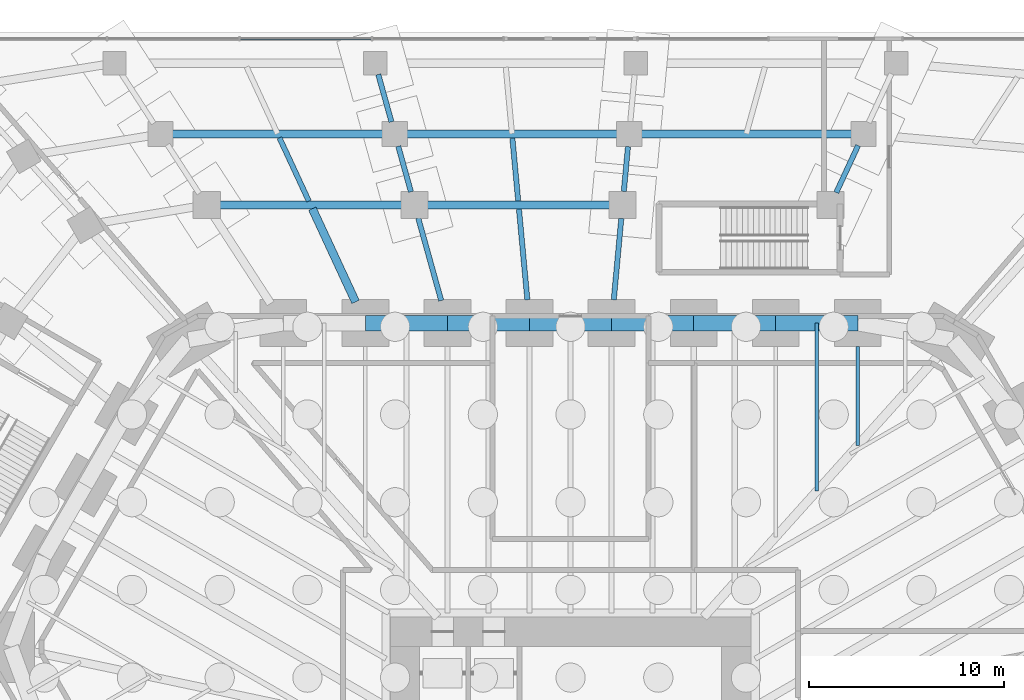
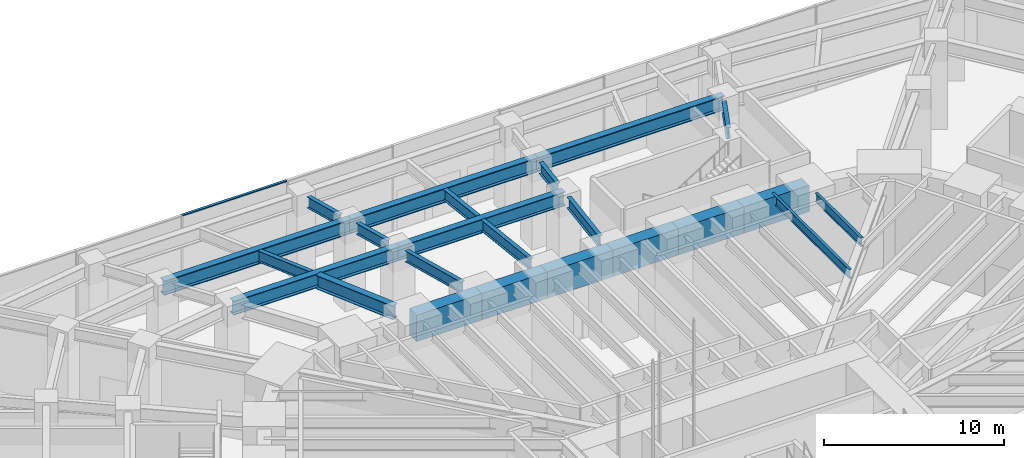
# One storey, part 14 of 34: 23 beams, 1 member, 1 element without a shape of its own.
"""IFC4 building model written with IfcOpenShell, lengths in metres."""

from ifc_helpers import new_model, si_unit, direction, frame, origin, origin_2d, place, context, subcontext, project, spatial, rectangle, i_section, extrude, material, material_profile, profile_set, type_object, element, aggregate, save


model = new_model("IFC4")

# Units and contexts
model_context = context("Model", 3, precision=1e-05, world=origin(), true_north=direction((0.0, 1.0)))
body_context = subcontext(model_context, "Body", "Model", "MODEL_VIEW")
ifc_project = project(units=[si_unit("LENGTHUNIT", "METRE"), si_unit("AREAUNIT", "SQUARE_METRE"), si_unit("VOLUMEUNIT", "CUBIC_METRE"), si_unit("PLANEANGLEUNIT", "RADIAN"), si_unit("MASSUNIT", "GRAM", prefix="KILO")], contexts=[model_context])

# Site, building, storey
site_placement = place(None, origin())
site = spatial("IfcSite", under=ifc_project, at=site_placement, CompositionType="ELEMENT")
building_placement = place(site_placement, origin())
building = spatial("IfcBuilding", under=site, at=building_placement, Name="Sandreach Pilgrim Tower", CompositionType="ELEMENT")
storey_placement = place(building_placement, origin())
storey = spatial("IfcBuildingStorey", under=building, at=storey_placement, Name="L00", CompositionType="ELEMENT", Elevation=0.0)

# Curtain wall, member
ifc_material_1 = material(Name="Aluminium framed curtain wall", Category="aluminium")
curtain_wall_type = type_object("IfcCurtainWallType", Name="Podium storefront curtain wall", PredefinedType="NOTDEFINED", material=ifc_material_1)
curtain_wall_placement = place(storey_placement, origin())
curtain_wall = element("IfcCurtainWall", 1, at=curtain_wall_placement, inside=storey, type_object=curtain_wall_type, Name="CW-P L00 NA", PredefinedType="NOTDEFINED")
ifc_material_2 = material(Name="Aluminium extrusion", Category="aluminium")
ifc_material_profile_1 = material_profile(ifc_material_2, rectangle(XDim=0.159912109375, YDim=0.070068359375, at=origin_2d()), Name="CW-PT 160X70")
ifc_profile_set_1 = profile_set([ifc_material_profile_1], Name="Aluminium extrusion")
member_type = type_object("IfcMemberType", Name="CW-P transom", PredefinedType="USERDEFINED", material=ifc_profile_set_1)
member_placement = place(storey_placement, frame((-16.957763671875, 37.285400390625, 5.804931640625), z_axis=(1.0, 0.0, 0.0), x_axis=(0.0, 1.0, 0.0)))
member = element("IfcMember", 2, at=member_placement, type_object=member_type, Name="CW-P head transom 3", ObjectType="TRANSOM", PredefinedType="USERDEFINED", context=body_context, shape_type="SweptSolid", body=[
    extrude(rectangle(XDim=0.159912109375, YDim=0.070068359375, at=origin_2d()), origin(), (0.0, 0.0, 1.0), 6.72705078125),
])
aggregate(curtain_wall, [member])

# Beams
ifc_material_3 = material(Name="Steel ASTM A992 Grade 50", Category="steel")
ifc_material_profile_2 = material_profile(ifc_material_3, i_section(OverallWidth=0.1787109375, OverallDepth=0.60205078125, WebThickness=0.010986328125, FlangeThickness=0.014892578125, at=origin_2d()), Name="W24X62")
ifc_profile_set_2 = profile_set([ifc_material_profile_2], Name="Steel ASTM A992 Grade 50")
beam_type_1 = type_object("IfcBeamType", Name="Floor beam W24X62", PredefinedType="BEAM", material=ifc_profile_set_2)
beam_1_placement = place(storey_placement, frame((14.734619140625, 21.48876953125, 5.5390625), z_axis=(0.0, -1.0, 0.0), x_axis=(1.0, 0.0, 0.0)))
element("IfcBeam", 3, at=beam_1_placement, inside=storey, type_object=beam_type_1, Name="BM L00 F08", PredefinedType="BEAM", context=body_context, shape_type="SweptSolid", body=[
    extrude(i_section(OverallWidth=0.1787109375, OverallDepth=0.60205078125, WebThickness=0.010986328125, FlangeThickness=0.014892578125, at=origin_2d()), origin(), (0.0, 0.0, 1.0), 5.079345703125),
])
beam_2_placement = place(storey_placement, frame((12.629638671875, 22.688720703125, 5.5390625), z_axis=(0.0, -1.0, 0.0), x_axis=(1.0, 0.0, 0.0)))
element("IfcBeam", 4, at=beam_2_placement, inside=storey, type_object=beam_type_1, Name="BM L00 FM07", PredefinedType="BEAM", context=body_context, shape_type="SweptSolid", body=[
    extrude(i_section(OverallWidth=0.1787109375, OverallDepth=0.60205078125, WebThickness=0.010986328125, FlangeThickness=0.014892578125, at=origin_2d()), origin(), (0.0, 0.0, 1.0), 8.62353515625),
])
ifc_material_4 = material(Name="Steel ASTM A992 Grade 50", Category="steel")
ifc_material_profile_3 = material_profile(ifc_material_4, i_section(OverallWidth=0.2666015625, OverallDepth=0.7568359375, WebThickness=0.013916015625, FlangeThickness=0.019287109375, at=origin_2d()), Name="W30X108")
ifc_profile_set_3 = profile_set([ifc_material_profile_3], Name="Steel ASTM A992 Grade 50")
beam_type_2 = type_object("IfcBeamType", Name="Podium beam W30X108", PredefinedType="BEAM", material=ifc_profile_set_3)
beam_3_placement = place(storey_placement, frame((-6.63671875, 23.8447265625, 5.46142578125), z_axis=(-0.268122559607, 0.963384810462, 0.0), x_axis=(-0.963384810462, -0.268122559607, 0.0)))
element("IfcBeam", 5, at=beam_3_placement, inside=storey, type_object=beam_type_2, Name="BM L00 PR125-03", PredefinedType="BEAM", context=body_context, shape_type="SweptSolid", body=[
    extrude(i_section(OverallWidth=0.2666015625, OverallDepth=0.7568359375, WebThickness=0.013916015625, FlangeThickness=0.019287109375, at=origin_2d()), origin(), (0.0, 0.0, 1.0), 4.392578125),
])
beam_4_placement = place(storey_placement, frame((-2.2158203125, 23.883544921875, 5.46142578125), z_axis=(-0.092357338774, 0.995725927138, 0.0), x_axis=(-0.995725927138, -0.092357338774, 0.0)))
element("IfcBeam", 6, at=beam_4_placement, inside=storey, type_object=beam_type_2, Name="BM L00 PR125-04", PredefinedType="BEAM", context=body_context, shape_type="SweptSolid", body=[
    extrude(i_section(OverallWidth=0.2666015625, OverallDepth=0.7568359375, WebThickness=0.013916015625, FlangeThickness=0.019287109375, at=origin_2d()), origin(), (0.0, 0.0, 1.0), 4.67626953125),
])
beam_5_placement = place(storey_placement, frame((2.2158203125, 23.883544921875, 5.46142578125), z_axis=(0.092390859708, 0.995722817376, 0.0), x_axis=(-0.995722817376, 0.092390859708, 0.0)))
element("IfcBeam", 7, at=beam_5_placement, inside=storey, type_object=beam_type_2, Name="BM L00 PR125-05", PredefinedType="BEAM", context=body_context, shape_type="SweptSolid", body=[
    extrude(i_section(OverallWidth=0.2666015625, OverallDepth=0.7568359375, WebThickness=0.013916015625, FlangeThickness=0.019287109375, at=origin_2d()), origin(), (0.0, 0.0, 1.0), 4.188232421875),
])
beam_6_placement = place(storey_placement, frame((-13.42626953125, 28.943359375, 5.46142578125), z_axis=(-0.420781040093, 0.907162232623, 0.0), x_axis=(-0.907162232623, -0.420781040093, 0.0)))
element("IfcBeam", 8, at=beam_6_placement, inside=storey, type_object=beam_type_2, Name="BM L00 PR140-02", PredefinedType="BEAM", context=body_context, shape_type="SweptSolid", body=[
    extrude(i_section(OverallWidth=0.2666015625, OverallDepth=0.7568359375, WebThickness=0.013916015625, FlangeThickness=0.019287109375, at=origin_2d()), origin(), (0.0, 0.0, 1.0), 3.583984375),
])
beam_7_placement = place(storey_placement, frame((-8.18994140625, 29.42529296875, 5.46142578125), z_axis=(-0.268147395291, 0.963377898023, 0.0), x_axis=(-0.963377898023, -0.268147395291, 0.0)))
element("IfcBeam", 9, at=beam_7_placement, inside=storey, type_object=beam_type_2, Name="BM L00 PR140-03", PredefinedType="BEAM", context=body_context, shape_type="SweptSolid", body=[
    extrude(i_section(OverallWidth=0.2666015625, OverallDepth=0.7568359375, WebThickness=0.013916015625, FlangeThickness=0.019287109375, at=origin_2d()), origin(), (0.0, 0.0, 1.0), 2.425537109375),
])
beam_8_placement = place(storey_placement, frame((-2.68701171875, 28.962158203125, 5.46142578125), z_axis=(-0.092363493126, 0.995725356279, 0.0), x_axis=(-0.995725356279, -0.092363493126, 0.0)))
element("IfcBeam", 10, at=beam_8_placement, inside=storey, type_object=beam_type_2, Name="BM L00 PR140-04", PredefinedType="BEAM", context=body_context, shape_type="SweptSolid", body=[
    extrude(i_section(OverallWidth=0.2666015625, OverallDepth=0.7568359375, WebThickness=0.013916015625, FlangeThickness=0.019287109375, at=origin_2d()), origin(), (0.0, 0.0, 1.0), 3.2275390625),
])
beam_9_placement = place(storey_placement, frame((2.73193359375, 29.447998046875, 5.46142578125), z_axis=(0.092447372534, 0.995717572061, 0.0), x_axis=(-0.995717572061, 0.092447372534, 0.0)))
element("IfcBeam", 11, at=beam_9_placement, inside=storey, type_object=beam_type_2, Name="BM L00 PR140-05", PredefinedType="BEAM", context=body_context, shape_type="SweptSolid", body=[
    extrude(i_section(OverallWidth=0.2666015625, OverallDepth=0.7568359375, WebThickness=0.013916015625, FlangeThickness=0.019287109375, at=origin_2d()), origin(), (0.0, 0.0, 1.0), 2.302734375),
])
beam_10_placement = place(storey_placement, frame((13.631591796875, 29.385986328125, 5.46142578125), z_axis=(0.420803810637, 0.907151670314, 0.0), x_axis=(-0.907151670314, 0.420803810637, 0.0)))
element("IfcBeam", 12, at=beam_10_placement, inside=storey, type_object=beam_type_2, Name="BM L00 PR140-07", PredefinedType="BEAM", context=body_context, shape_type="SweptSolid", body=[
    extrude(i_section(OverallWidth=0.2666015625, OverallDepth=0.7568359375, WebThickness=0.013916015625, FlangeThickness=0.019287109375, at=origin_2d()), origin(), (0.0, 0.0, 1.0), 2.659423828125),
])
beam_11_placement = place(storey_placement, frame((-9.188720703125, 33.014404296875, 5.37158203125), z_axis=(-0.268152363351, 0.963376515195, 0.0), x_axis=(-0.963376515195, -0.268152363351, 0.0)))
element("IfcBeam", 13, at=beam_11_placement, inside=storey, type_object=beam_type_2, Name="BM L00 PR155-03", PredefinedType="BEAM", context=body_context, shape_type="SweptSolid", body=[
    extrude(i_section(OverallWidth=0.2666015625, OverallDepth=0.7568359375, WebThickness=0.013916015625, FlangeThickness=0.019287109375, at=origin_2d()), origin(), (0.0, 0.0, 1.0), 2.525634765625),
])
ifc_material_5 = material(Name="Steel ASTM A992 Grade 50", Category="steel")
ifc_material_profile_4 = material_profile(ifc_material_5, i_section(OverallWidth=0.419189453125, OverallDepth=0.927001953125, WebThickness=0.019287109375, FlangeThickness=0.031982421875, at=origin_2d()), Name="W36X231")
ifc_profile_set_4 = profile_set([ifc_material_profile_4], Name="Steel ASTM A992 Grade 50")
beam_type_3 = type_object("IfcBeamType", Name="Podium beam W36X231", PredefinedType="BEAM", material=ifc_profile_set_4)
beam_12_placement = place(storey_placement, frame((-11.02978515625, 23.77734375, 5.37646484375), z_axis=(-0.420784646846, 0.907160559647, 0.0), x_axis=(-0.907160559647, -0.420784646846, 0.0)))
element("IfcBeam", 14, at=beam_12_placement, inside=storey, type_object=beam_type_3, Name="BM L00 PR125-02", PredefinedType="BEAM", context=body_context, shape_type="SweptSolid", body=[
    extrude(i_section(OverallWidth=0.419189453125, OverallDepth=0.927001953125, WebThickness=0.019287109375, FlangeThickness=0.031982421875, at=origin_2d()), origin(), (0.0, 0.0, 1.0), 5.2705078125),
])
ifc_material_6 = material(Name="Steel ASTM A992 Grade 50", Category="steel")
ifc_material_profile_5 = material_profile(ifc_material_6, i_section(OverallWidth=0.424072265625, OverallDepth=0.947509765625, WebThickness=0.02392578125, FlangeThickness=0.042724609375, at=origin_2d()), Name="W36X302")
ifc_profile_set_5 = profile_set([ifc_material_profile_5], Name="Steel ASTM A992 Grade 50")
beam_type_4 = type_object("IfcBeamType", Name="Podium edge beam W36X302", PredefinedType="BEAM", material=ifc_profile_set_5)
beam_13_placement = place(storey_placement, frame((-18.671630859375, 28.7509765625, 5.3662109375), z_axis=(1.0, 0.0, 0.0), x_axis=(0.0, 1.0, 0.0)))
element("IfcBeam", 15, at=beam_13_placement, inside=storey, type_object=beam_type_4, Name="BM L00 PE125-01", PredefinedType="BEAM", context=body_context, shape_type="SweptSolid", body=[
    extrude(i_section(OverallWidth=0.424072265625, OverallDepth=0.947509765625, WebThickness=0.02392578125, FlangeThickness=0.042724609375, at=origin_2d()), origin(), (0.0, 0.0, 1.0), 10.66943359375),
])
beam_14_placement = place(storey_placement, frame((-8.002197265625, 28.7509765625, 5.3662109375), z_axis=(1.0, 0.0, 0.0), x_axis=(0.0, 1.0, 0.0)))
element("IfcBeam", 16, at=beam_14_placement, inside=storey, type_object=beam_type_4, Name="BM L00 PE125-03", PredefinedType="BEAM", context=body_context, shape_type="SweptSolid", body=[
    extrude(i_section(OverallWidth=0.424072265625, OverallDepth=0.947509765625, WebThickness=0.02392578125, FlangeThickness=0.042724609375, at=origin_2d()), origin(), (0.0, 0.0, 1.0), 10.669677734375),
])
ifc_material_7 = material(Name="Steel ASTM A992 Grade 50", Category="steel")
ifc_material_profile_6 = material_profile(ifc_material_7, i_section(OverallWidth=0.4267578125, OverallDepth=0.975341796875, WebThickness=0.031005859375, FlangeThickness=0.055908203125, at=origin_2d()), Name="W36X395")
ifc_profile_set_6 = profile_set([ifc_material_profile_6], Name="Steel ASTM A992 Grade 50")
beam_type_5 = type_object("IfcBeamType", Name="Podium edge beam W36X395", PredefinedType="BEAM", material=ifc_profile_set_6)
beam_15_placement = place(storey_placement, frame((-21.033935546875, 32.38818359375, 5.352294921875), z_axis=(1.0, 0.0, 0.0), x_axis=(0.0, 1.0, 0.0)))
element("IfcBeam", 17, at=beam_15_placement, inside=storey, type_object=beam_type_5, Name="BM L00 PE140-01", PredefinedType="BEAM", context=body_context, shape_type="SweptSolid", body=[
    extrude(i_section(OverallWidth=0.4267578125, OverallDepth=0.975341796875, WebThickness=0.031005859375, FlangeThickness=0.055908203125, at=origin_2d()), origin(), (0.0, 0.0, 1.0), 12.01953125),
])
for number, where, z_axis, x_axis, name in (
    (18, (-9.014404296875, 32.38818359375, 5.352294921875), (1.0, 0.0, 0.0), (0.0, 1.0, 0.0), "BM L00 PE140-03"),
    (19, (3.0048828125, 32.38818359375, 5.352294921875), (1.0, 0.0, 0.0), (0.0, 1.0, 0.0), "BM L00 PE140-05"),
):
    element("IfcBeam", number, at=place(storey_placement, frame(where, z_axis=z_axis, x_axis=x_axis)), inside=storey, type_object=beam_type_5, Name=name, PredefinedType="BEAM", context=body_context, shape_type="SweptSolid", body=[
        extrude(i_section(OverallWidth=0.4267578125, OverallDepth=0.975341796875, WebThickness=0.031005859375, FlangeThickness=0.055908203125, at=origin_2d()), origin(), (0.0, 0.0, 1.0), 12.019287109375),
    ])
ifc_material_8 = material(Name="Concrete 10000 psi", Category="concrete")
ifc_material_profile_7 = material_profile(ifc_material_8, rectangle(XDim=0.800048828125, YDim=1.800048828125, at=origin_2d()), Name="RC800X1800")
ifc_profile_set_7 = profile_set([ifc_material_profile_7], Name="Concrete 10000 psi")
beam_type_6 = type_object("IfcBeamType", Name="Spandrel beam RC800X1800", PredefinedType="SPANDREL", material=ifc_profile_set_7)
for number, where, z_axis, x_axis, name in (
    (20, (-10.52490234375, 22.688720703125, 4.93994140625), (1.0, 0.0, 0.0), (0.0, 1.0, 0.0), "BM L00 SP02"),
    (21, (-6.31494140625, 22.688720703125, 4.93994140625), (1.0, 0.0, 0.0), (0.0, 1.0, 0.0), "BM L00 SP03"),
    (22, (-2.10498046875, 22.688720703125, 4.93994140625), (1.0, 0.0, 0.0), (0.0, 1.0, 0.0), "BM L00 SP04"),
    (23, (2.10498046875, 22.688720703125, 4.93994140625), (1.0, 0.0, 0.0), (0.0, 1.0, 0.0), "BM L00 SP05"),
    (24, (6.31494140625, 22.688720703125, 4.93994140625), (1.0, 0.0, 0.0), (0.0, 1.0, 0.0), "BM L00 SP06"),
):
    element("IfcBeam", number, at=place(storey_placement, frame(where, z_axis=z_axis, x_axis=x_axis)), inside=storey, type_object=beam_type_6, Name=name, PredefinedType="SPANDREL", context=body_context, shape_type="SweptSolid", body=[
        extrude(rectangle(XDim=0.800048828125, YDim=1.800048828125, at=origin_2d()), origin(), (0.0, 0.0, 1.0), 4.2099609375),
    ])
beam_16_placement = place(storey_placement, frame((10.52490234375, 22.688720703125, 4.93994140625), z_axis=(1.0, 0.0, 0.0), x_axis=(0.0, 1.0, 0.0)))
element("IfcBeam", 25, at=beam_16_placement, inside=storey, type_object=beam_type_6, Name="BM L00 SP07", PredefinedType="SPANDREL", context=body_context, shape_type="SweptSolid", body=[
    extrude(rectangle(XDim=0.800048828125, YDim=1.800048828125, at=origin_2d()), origin(), (0.0, 0.0, 1.0), 4.209716796875),
])

save(model, "model.ifc")
